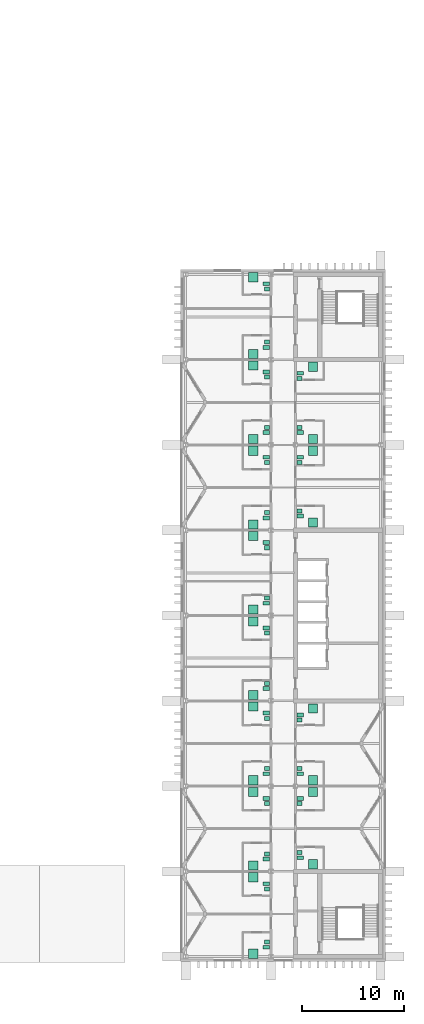
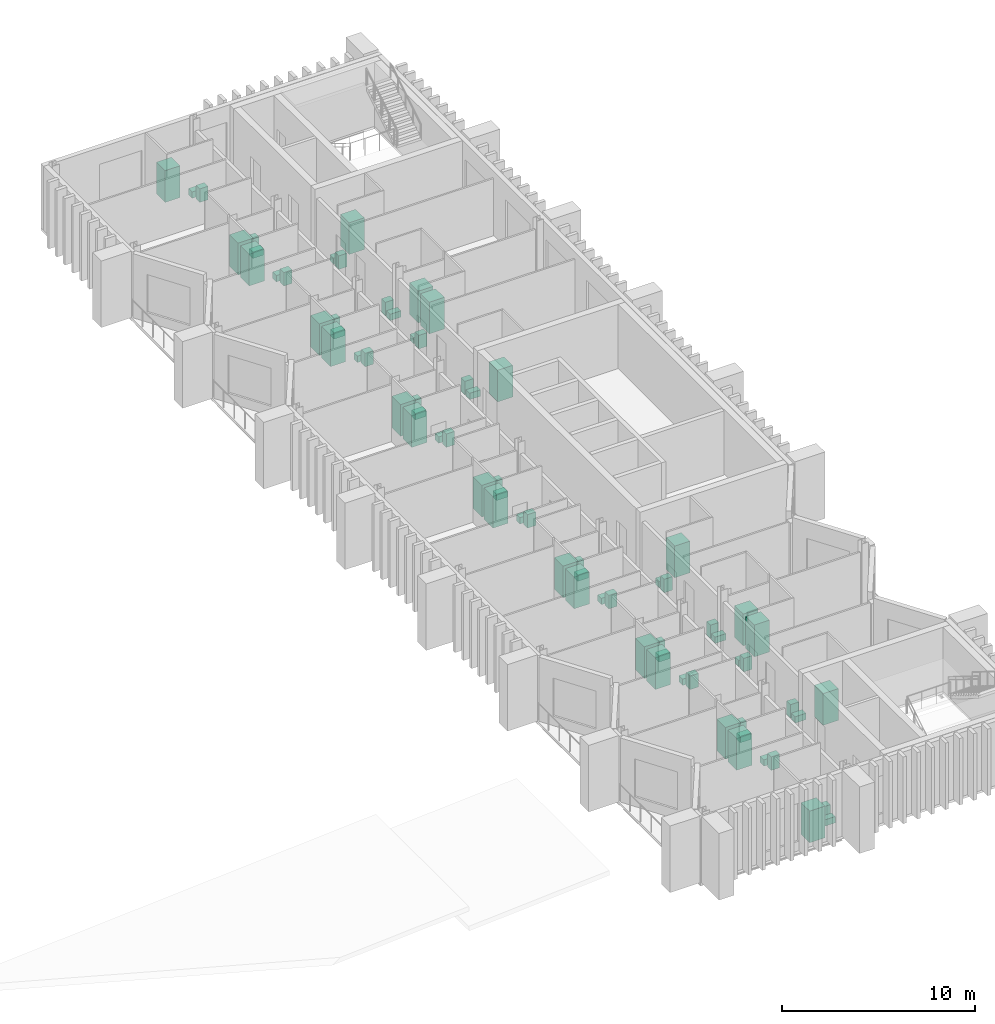
# One storey, part 21 of 21: 72 sanitary terminals.
"""IFC4 building model written with IfcOpenShell, lengths in metres."""

import ifcopenshell
import ifcopenshell.guid

model = None  # the IFC model being written
_history = None  # IfcOwnerHistory: only IFC2X3 demands one
_inside = {}  # id of a spatial element -> (the spatial element, [elements in it])
_under = {}  # id of a project, library or spatial element -> (it, [spatial elements below it])
_declared = {}  # id of a project -> (the project, [libraries it declares])
_typed = {}  # id of a type object -> (the type object, [elements of that type])
_made_of = {}  # id of a material, layer set ... -> (it, [elements and type objects made of it])


def new_model(schema):
    """Start an empty IFC model of exactly this schema.

    Asked for "IFC4X3", IfcOpenShell would pick the latest addendum, in which some entities
    have other attributes; the version numbers below select the first issue.
    IFC2X3 requires an IfcOwnerHistory on every rooted entity: one is made here for all.
    """
    global model, _history
    if schema == "IFC4X3":
        model = ifcopenshell.file(schema_version=(4, 3, 0, 0))
    else:
        model = ifcopenshell.file(schema=schema)
    _inside.clear()
    _under.clear()
    _declared.clear()
    _typed.clear()
    _made_of.clear()
    _history = None
    if model.schema == "IFC2X3":
        org = make("IfcOrganization", Name="unknown")
        user = make(
            "IfcPersonAndOrganization",
            ThePerson=make("IfcPerson", FamilyName="unknown"),
            TheOrganization=org,
        )
        app = make(
            "IfcApplication",
            ApplicationDeveloper=org,
            Version="unknown",
            ApplicationFullName="unknown",
            ApplicationIdentifier="unknown",
        )
        _history = make(
            "IfcOwnerHistory",
            OwningUser=user,
            OwningApplication=app,
            ChangeAction="ADDED",
            CreationDate=0,
        )
    return model


def make(cls, **values):
    """One entity of the class cls with the attributes given. An attribute that is None is left unset."""
    return model.create_entity(
        cls, **{name: value for name, value in values.items() if value is not None}
    )


def rooted(cls, **values):
    """An entity with a GlobalId (a new one), such as an element, a storey or a relation."""
    return make(cls, GlobalId=ifcopenshell.guid.new(), OwnerHistory=_history, **values)


def si_unit(unit_type, name, prefix=None):
    """IfcSIUnit, for example si_unit("LENGTHUNIT", "METRE", prefix="MILLI")."""
    return make("IfcSIUnit", UnitType=unit_type, Prefix=prefix, Name=name)


def assignment(units):
    """IfcUnitAssignment: the units of a project."""
    return None if units is None else make("IfcUnitAssignment", Units=units)


def point(xyz):
    """IfcCartesianPoint."""
    return None if xyz is None else make("IfcCartesianPoint", Coordinates=xyz)


def direction(xyz):
    """IfcDirection."""
    return None if xyz is None else make("IfcDirection", DirectionRatios=xyz)


def frame(location, z_axis=None, x_axis=None):
    """IfcAxis2Placement3D, a coordinate frame: its origin and axes. An axis left out is left unset."""
    return make(
        "IfcAxis2Placement3D",
        Location=point(location),
        Axis=direction(z_axis),
        RefDirection=direction(x_axis),
    )


def frame_2d(location, x_axis=None):
    """IfcAxis2Placement2D, a coordinate frame in the plane: its origin and x axis."""
    return make(
        "IfcAxis2Placement2D", Location=point(location), RefDirection=direction(x_axis)
    )


def origin():
    """The frame at (0, 0, 0) with its axes left unset."""
    return frame((0.0, 0.0, 0.0))


def origin_2d():
    """The frame at (0, 0) in the plane with its x axis left unset."""
    return frame_2d((0.0, 0.0))


def place(relative_to, where):
    """IfcLocalPlacement: puts the frame where relative to a parent placement (None: the world)."""
    return make(
        "IfcLocalPlacement", PlacementRelTo=relative_to, RelativePlacement=where
    )


def context(
    kind, dimensions, precision=None, world=None, true_north=None, identifier=None
):
    """IfcGeometricRepresentationContext, for example the 3D "Model" context."""
    return make(
        "IfcGeometricRepresentationContext",
        ContextIdentifier=identifier,
        ContextType=kind,
        CoordinateSpaceDimension=dimensions,
        Precision=precision,
        WorldCoordinateSystem=world,
        TrueNorth=true_north,
    )


def subcontext(parent, identifier, kind, view, scale=None):
    """IfcGeometricRepresentationSubContext, for example "Body" below "Model"."""
    return make(
        "IfcGeometricRepresentationSubContext",
        ContextIdentifier=identifier,
        ContextType=kind,
        ParentContext=parent,
        TargetScale=scale,
        TargetView=view,
    )


def project(units=None, contexts=None):
    """IfcProject with its units and contexts."""
    return rooted(
        "IfcProject",
        Name="project",
        RepresentationContexts=contexts,
        UnitsInContext=assignment(units),
    )


def spatial(cls, under=None, at=None, **own):
    """A site, building, storey or space (cls), placed at a placement, below another one or the project."""
    s = rooted(cls, ObjectPlacement=at, **own)
    if under is not None:
        _under.setdefault(under.id(), (under, []))[1].append(s)
    return s


def profile(cls, at=None, kind="AREA", **sizes):
    """A parametric profile (cls). Its sizes go by their IFC names, for example OverallWidth=200.0."""
    return make(cls, ProfileType=kind, Position=at, **sizes)


def rectangle(**sizes):
    """IfcRectangleProfileDef."""
    return profile("IfcRectangleProfileDef", **sizes)


def extrude(swept, where, along, depth):
    """IfcExtrudedAreaSolid: the profile swept, set in the frame where, extruded along a direction by depth."""
    return make(
        "IfcExtrudedAreaSolid",
        SweptArea=swept,
        Position=where,
        ExtrudedDirection=direction(along),
        Depth=depth,
    )


def shape(context_of_items, identifier, shape_type, items):
    """IfcShapeRepresentation: the items that make up one representation, for example the "Body"."""
    return make(
        "IfcShapeRepresentation",
        ContextOfItems=context_of_items,
        RepresentationIdentifier=identifier,
        RepresentationType=shape_type,
        Items=items,
    )


def material(Name=None, Category=None):
    """IfcMaterial."""
    return make("IfcMaterial", Name=Name, Category=Category)


def made_of(thing, what):
    """Note that an element or type object is made of a material, layer set ...; save() writes the relation."""
    if what is not None:
        _made_of.setdefault(what.id(), (what, []))[1].append(thing)
    return thing


def type_object(cls, material=None, **own):
    """A type object (cls), such as IfcWallType, which elements share."""
    return made_of(rooted(cls, **own), material)


def element(
    cls,
    number,
    at=None,
    inside=None,
    cuts=None,
    type_object=None,
    material=None,
    context=None,
    identifier="Body",
    shape_type=None,
    held_by="IfcProductDefinitionShape",
    body=None,
    shapes=None,
    **own,
):
    """One element of the class cls, such as IfcWall. Its Tag is "e" and its number.

    at: its placement. inside: the storey or other place that contains it. cuts: it is an
    opening in that element (IfcRelVoidsElement). A single representation is given by context,
    identifier, shape_type and body (its items); several are given by shapes. held_by: the class
    of the entity that holds the representations. save() writes the other relations.
    """
    e = rooted(cls, Tag="e%d" % number, ObjectPlacement=at, **own)
    if body is not None:
        shapes = [shape(context, identifier, shape_type, body)]
    if shapes is not None:
        e.Representation = make(held_by, Representations=shapes)
    if inside is not None:
        _inside.setdefault(inside.id(), (inside, []))[1].append(e)
    if cuts is not None:
        rooted(
            "IfcRelVoidsElement", RelatingBuildingElement=cuts, RelatedOpeningElement=e
        )
    if type_object is not None:
        _typed.setdefault(type_object.id(), (type_object, []))[1].append(e)
    return made_of(e, material)


def aggregate(whole, parts):
    """IfcRelAggregates: a whole, such as a stair, and the parts it consists of."""
    return rooted("IfcRelAggregates", RelatingObject=whole, RelatedObjects=parts)


def save(model, path):
    """Write the relations noted so far, then the file.

    IfcRelAggregates (storeys below a building ...), IfcRelContainedInSpatialStructure (elements
    in a storey), IfcRelDefinesByType, IfcRelAssociatesMaterial and IfcRelDeclares: one each for
    every whole, place, type object, material and project.
    """
    for whole, parts in _under.values():
        aggregate(whole, parts)
    for where, things in _inside.values():
        rooted(
            "IfcRelContainedInSpatialStructure",
            RelatedElements=things,
            RelatingStructure=where,
        )
    for kind, things in _typed.values():
        rooted("IfcRelDefinesByType", RelatedObjects=things, RelatingType=kind)
    for what, things in _made_of.values():
        rooted("IfcRelAssociatesMaterial", RelatedObjects=things, RelatingMaterial=what)
    for by, libraries in _declared.values():
        rooted("IfcRelDeclares", RelatingContext=by, RelatedDefinitions=libraries)
    model.write(path)


model = new_model("IFC4")

# Units and contexts
model_context = context("Model", 3, precision=1e-05, world=origin(), true_north=direction((0.0, 1.0)))
body_context = subcontext(model_context, "Body", "Model", "MODEL_VIEW")
ifc_project = project(units=[si_unit("LENGTHUNIT", "METRE"), si_unit("AREAUNIT", "SQUARE_METRE"), si_unit("VOLUMEUNIT", "CUBIC_METRE"), si_unit("PLANEANGLEUNIT", "RADIAN"), si_unit("MASSUNIT", "GRAM", prefix="KILO")], contexts=[model_context])

# Site, building, storey
site_placement = place(None, origin())
site = spatial("IfcSite", under=ifc_project, at=site_placement, CompositionType="ELEMENT")
building_placement = place(site_placement, origin())
building = spatial("IfcBuilding", under=site, at=building_placement, Name="Cresset Court Congress Hotel", CompositionType="ELEMENT")
storey_placement = place(building_placement, frame((0.0, 0.0, 22.800048828125)))
storey = spatial("IfcBuildingStorey", under=building, at=storey_placement, Name="L05", CompositionType="ELEMENT", Elevation=22.800048828125)

# Sanitary terminals
ifc_material_1 = material(Name="Acrylic")
sanitary_terminal_type_1 = type_object("IfcSanitaryTerminalType", Name="Shower enclosure 900x900", PredefinedType="SHOWER", material=ifc_material_1)
for number, where, z_axis, x_axis, name in (
    (1, (163.85009765625, 0.280029296875, 0.0), (0.0, 0.0, 1.0), (1.0, 0.0, 0.0), "Shower enclosure 900x900 0501"),
    (2, (163.85009765625, 7.824951171875, 0.0), (0.0, 0.0, 1.0), (1.0, 0.0, 0.0), "Shower enclosure 900x900 0502"),
    (3, (163.85009765625, 8.97509765625, 0.0), (0.0, 0.0, 1.0), (1.0, 0.0, 0.0), "Shower enclosure 900x900 0503"),
    (4, (163.85009765625, 16.22509765625, 0.0), (0.0, 0.0, 1.0), (1.0, 0.0, 0.0), "Shower enclosure 900x900 0504"),
    (5, (163.85009765625, 17.375, 0.0), (0.0, 0.0, 1.0), (1.0, 0.0, 0.0), "Shower enclosure 900x900 0505"),
    (6, (163.85009765625, 24.625, 0.0), (0.0, 0.0, 1.0), (1.0, 0.0, 0.0), "Shower enclosure 900x900 0506"),
    (7, (163.85009765625, 25.77490234375, 0.0), (0.0, 0.0, 1.0), (1.0, 0.0, 0.0), "Shower enclosure 900x900 0507"),
    (8, (163.85009765625, 33.02490234375, 0.0), (0.0, 0.0, 1.0), (1.0, 0.0, 0.0), "Shower enclosure 900x900 0508"),
    (9, (163.85009765625, 34.175048828125, 0.0), (0.0, 0.0, 1.0), (1.0, 0.0, 0.0), "Shower enclosure 900x900 0509"),
    (10, (163.85009765625, 41.425048828125, 0.0), (0.0, 0.0, 1.0), (1.0, 0.0, 0.0), "Shower enclosure 900x900 0510"),
    (11, (163.85009765625, 42.574951171875, 0.0), (0.0, 0.0, 1.0), (1.0, 0.0, 0.0), "Shower enclosure 900x900 0511"),
    (12, (163.85009765625, 49.824951171875, 0.0), (0.0, 0.0, 1.0), (1.0, 0.0, 0.0), "Shower enclosure 900x900 0512"),
    (13, (163.85009765625, 50.97509765625, 0.0), (0.0, 0.0, 1.0), (1.0, 0.0, 0.0), "Shower enclosure 900x900 0513"),
    (14, (163.85009765625, 58.22509765625, 0.0), (0.0, 0.0, 1.0), (1.0, 0.0, 0.0), "Shower enclosure 900x900 0514"),
    (15, (163.85009765625, 59.375, 0.0), (0.0, 0.0, 1.0), (1.0, 0.0, 0.0), "Shower enclosure 900x900 0515"),
    (16, (163.85009765625, 66.919921875, 0.0), (0.0, 0.0, 1.0), (1.0, 0.0, 0.0), "Shower enclosure 900x900 0516"),
    (17, (169.75, 9.10009765625, 0.0), (0.0, 0.0, 1.0), (1.0, 0.0, 0.0), "Shower enclosure 900x900 0517"),
    (18, (169.75, 16.22509765625, 0.0), (0.0, 0.0, 1.0), (1.0, 0.0, 0.0), "Shower enclosure 900x900 0518"),
    (19, (169.75, 17.375, 0.0), (0.0, 0.0, 1.0), (1.0, 0.0, 0.0), "Shower enclosure 900x900 0519"),
    (20, (169.75, 24.449951171875, 0.0), (0.0, 0.0, 1.0), (1.0, 0.0, 0.0), "Shower enclosure 900x900 0520"),
    (21, (169.75, 42.75, 0.0), (0.0, 0.0, 1.0), (1.0, 0.0, 0.0), "Shower enclosure 900x900 0521"),
    (22, (169.75, 49.824951171875, 0.0), (0.0, 0.0, 1.0), (1.0, 0.0, 0.0), "Shower enclosure 900x900 0522"),
    (23, (169.75, 50.97509765625, 0.0), (0.0, 0.0, 1.0), (1.0, 0.0, 0.0), "Shower enclosure 900x900 0523"),
    (24, (169.75, 58.10009765625, 0.0), (0.0, 0.0, 1.0), (1.0, 0.0, 0.0), "Shower enclosure 900x900 0524"),
):
    element("IfcSanitaryTerminal", number, at=place(storey_placement, frame(where, z_axis=z_axis, x_axis=x_axis)), inside=storey, type_object=sanitary_terminal_type_1, Name=name, PredefinedType="SHOWER", context=body_context, shape_type="SweptSolid", body=[
        extrude(rectangle(XDim=0.89990234375, YDim=0.89990234375, at=origin_2d()), origin(), (0.0, 0.0, 1.0), 2.0),
    ])
ifc_material_2 = material(Name="Vitreous china")
sanitary_terminal_type_2 = type_object("IfcSanitaryTerminalType", Name="Toilet pan 650x380", PredefinedType="TOILETPAN", material=ifc_material_2)
for number, where, z_axis, x_axis, name in (
    (25, (165.125, 0.919921875, 0.0), (0.0, 0.0, 1.0), (1.0, 0.0, 0.0), "Toilet pan 650x380 0501"),
    (26, (165.125, 7.18505859375, 0.0), (0.0, 0.0, 1.0), (1.0, 0.0, 0.0), "Toilet pan 650x380 0502"),
    (27, (165.125, 9.614990234375, 0.0), (0.0, 0.0, 1.0), (1.0, 0.0, 0.0), "Toilet pan 650x380 0503"),
    (28, (165.125, 15.5849609375, 0.0), (0.0, 0.0, 1.0), (1.0, 0.0, 0.0), "Toilet pan 650x380 0504"),
    (29, (165.125, 18.014892578125, 0.0), (0.0, 0.0, 1.0), (1.0, 0.0, 0.0), "Toilet pan 650x380 0505"),
    (30, (165.125, 23.985107421875, 0.0), (0.0, 0.0, 1.0), (1.0, 0.0, 0.0), "Toilet pan 650x380 0506"),
    (31, (165.125, 26.4150390625, 0.0), (0.0, 0.0, 1.0), (1.0, 0.0, 0.0), "Toilet pan 650x380 0507"),
    (32, (165.125, 32.385009765625, 0.0), (0.0, 0.0, 1.0), (1.0, 0.0, 0.0), "Toilet pan 650x380 0508"),
    (33, (165.125, 34.81494140625, 0.0), (0.0, 0.0, 1.0), (1.0, 0.0, 0.0), "Toilet pan 650x380 0509"),
    (34, (165.125, 40.784912109375, 0.0), (0.0, 0.0, 1.0), (1.0, 0.0, 0.0), "Toilet pan 650x380 0510"),
    (35, (165.125, 43.215087890625, 0.0), (0.0, 0.0, 1.0), (1.0, 0.0, 0.0), "Toilet pan 650x380 0511"),
    (36, (165.125, 49.18505859375, 0.0), (0.0, 0.0, 1.0), (1.0, 0.0, 0.0), "Toilet pan 650x380 0512"),
    (37, (165.125, 51.614990234375, 0.0), (0.0, 0.0, 1.0), (1.0, 0.0, 0.0), "Toilet pan 650x380 0513"),
    (38, (165.125, 57.5849609375, 0.0), (0.0, 0.0, 1.0), (1.0, 0.0, 0.0), "Toilet pan 650x380 0514"),
    (39, (165.125, 60.014892578125, 0.0), (0.0, 0.0, 1.0), (1.0, 0.0, 0.0), "Toilet pan 650x380 0515"),
    (40, (165.125, 66.280029296875, 0.0), (0.0, 0.0, 1.0), (1.0, 0.0, 0.0), "Toilet pan 650x380 0516"),
    (41, (168.47509765625, 9.739990234375, 0.0), (0.0, 0.0, 1.0), (1.0, 0.0, 0.0), "Toilet pan 650x380 0517"),
    (42, (168.47509765625, 15.5849609375, 0.0), (0.0, 0.0, 1.0), (1.0, 0.0, 0.0), "Toilet pan 650x380 0518"),
    (43, (168.47509765625, 18.014892578125, 0.0), (0.0, 0.0, 1.0), (1.0, 0.0, 0.0), "Toilet pan 650x380 0519"),
    (44, (168.47509765625, 23.81005859375, 0.0), (0.0, 0.0, 1.0), (1.0, 0.0, 0.0), "Toilet pan 650x380 0520"),
    (45, (168.47509765625, 43.389892578125, 0.0), (0.0, 0.0, 1.0), (1.0, 0.0, 0.0), "Toilet pan 650x380 0521"),
    (46, (168.47509765625, 49.18505859375, 0.0), (0.0, 0.0, 1.0), (1.0, 0.0, 0.0), "Toilet pan 650x380 0522"),
    (47, (168.47509765625, 51.614990234375, 0.0), (0.0, 0.0, 1.0), (1.0, 0.0, 0.0), "Toilet pan 650x380 0523"),
    (48, (168.47509765625, 57.4599609375, 0.0), (0.0, 0.0, 1.0), (1.0, 0.0, 0.0), "Toilet pan 650x380 0524"),
):
    element("IfcSanitaryTerminal", number, at=place(storey_placement, frame(where, z_axis=z_axis, x_axis=x_axis)), inside=storey, type_object=sanitary_terminal_type_2, Name=name, PredefinedType="TOILETPAN", context=body_context, shape_type="SweptSolid", body=[
        extrude(rectangle(XDim=0.64990234375, YDim=0.3798828125, at=origin_2d()), origin(), (0.0, 0.0, 1.0), 0.39990234375),
    ])
ifc_material_3 = material(Name="Vitreous china")
sanitary_terminal_type_3 = type_object("IfcSanitaryTerminalType", Name="Wash basin 500x400", PredefinedType="WASHHANDBASIN", material=ifc_material_3)
for number, where, z_axis, x_axis, name in (
    (49, (165.199951171875, 1.429931640625, 0.0), (0.0, 0.0, 1.0), (1.0, 0.0, 0.0), "Wash basin 500x400 0501"),
    (50, (165.199951171875, 6.675048828125, 0.0), (0.0, 0.0, 1.0), (1.0, 0.0, 0.0), "Wash basin 500x400 0502"),
    (51, (165.199951171875, 10.125, 0.0), (0.0, 0.0, 1.0), (1.0, 0.0, 0.0), "Wash basin 500x400 0503"),
    (52, (165.199951171875, 15.074951171875, 0.0), (0.0, 0.0, 1.0), (1.0, 0.0, 0.0), "Wash basin 500x400 0504"),
    (53, (165.199951171875, 18.52490234375, 0.0), (0.0, 0.0, 1.0), (1.0, 0.0, 0.0), "Wash basin 500x400 0505"),
    (54, (165.199951171875, 23.47509765625, 0.0), (0.0, 0.0, 1.0), (1.0, 0.0, 0.0), "Wash basin 500x400 0506"),
    (55, (165.199951171875, 26.925048828125, 0.0), (0.0, 0.0, 1.0), (1.0, 0.0, 0.0), "Wash basin 500x400 0507"),
    (56, (165.199951171875, 31.875, 0.0), (0.0, 0.0, 1.0), (1.0, 0.0, 0.0), "Wash basin 500x400 0508"),
    (57, (165.199951171875, 35.324951171875, 0.0), (0.0, 0.0, 1.0), (1.0, 0.0, 0.0), "Wash basin 500x400 0509"),
    (58, (165.199951171875, 40.27490234375, 0.0), (0.0, 0.0, 1.0), (1.0, 0.0, 0.0), "Wash basin 500x400 0510"),
    (59, (165.199951171875, 43.72509765625, 0.0), (0.0, 0.0, 1.0), (1.0, 0.0, 0.0), "Wash basin 500x400 0511"),
    (60, (165.199951171875, 48.675048828125, 0.0), (0.0, 0.0, 1.0), (1.0, 0.0, 0.0), "Wash basin 500x400 0512"),
    (61, (165.199951171875, 52.125, 0.0), (0.0, 0.0, 1.0), (1.0, 0.0, 0.0), "Wash basin 500x400 0513"),
    (62, (165.199951171875, 57.074951171875, 0.0), (0.0, 0.0, 1.0), (1.0, 0.0, 0.0), "Wash basin 500x400 0514"),
    (63, (165.199951171875, 60.52490234375, 0.0), (0.0, 0.0, 1.0), (1.0, 0.0, 0.0), "Wash basin 500x400 0515"),
    (64, (165.199951171875, 65.77001953125, 0.0), (0.0, 0.0, 1.0), (1.0, 0.0, 0.0), "Wash basin 500x400 0516"),
    (65, (168.39990234375, 10.25, 0.0), (0.0, 0.0, 1.0), (1.0, 0.0, 0.0), "Wash basin 500x400 0517"),
    (66, (168.39990234375, 15.074951171875, 0.0), (0.0, 0.0, 1.0), (1.0, 0.0, 0.0), "Wash basin 500x400 0518"),
    (67, (168.39990234375, 18.52490234375, 0.0), (0.0, 0.0, 1.0), (1.0, 0.0, 0.0), "Wash basin 500x400 0519"),
    (68, (168.39990234375, 23.300048828125, 0.0), (0.0, 0.0, 1.0), (1.0, 0.0, 0.0), "Wash basin 500x400 0520"),
    (69, (168.39990234375, 43.89990234375, 0.0), (0.0, 0.0, 1.0), (1.0, 0.0, 0.0), "Wash basin 500x400 0521"),
    (70, (168.39990234375, 48.675048828125, 0.0), (0.0, 0.0, 1.0), (1.0, 0.0, 0.0), "Wash basin 500x400 0522"),
    (71, (168.39990234375, 52.125, 0.0), (0.0, 0.0, 1.0), (1.0, 0.0, 0.0), "Wash basin 500x400 0523"),
    (72, (168.39990234375, 56.949951171875, 0.0), (0.0, 0.0, 1.0), (1.0, 0.0, 0.0), "Wash basin 500x400 0524"),
):
    element("IfcSanitaryTerminal", number, at=place(storey_placement, frame(where, z_axis=z_axis, x_axis=x_axis)), inside=storey, type_object=sanitary_terminal_type_3, Name=name, PredefinedType="WASHHANDBASIN", context=body_context, shape_type="SweptSolid", body=[
        extrude(rectangle(XDim=0.5, YDim=0.39990234375, at=origin_2d()), origin(), (0.0, 0.0, 1.0), 0.85009765625),
    ])

save(model, "model.ifc")
